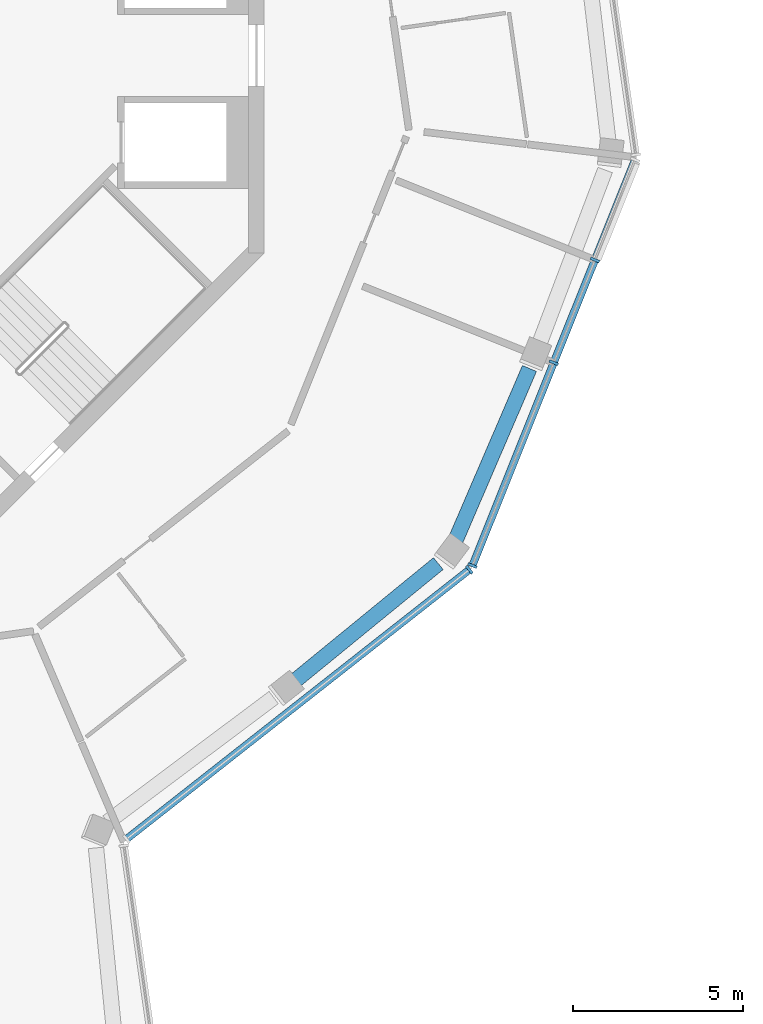
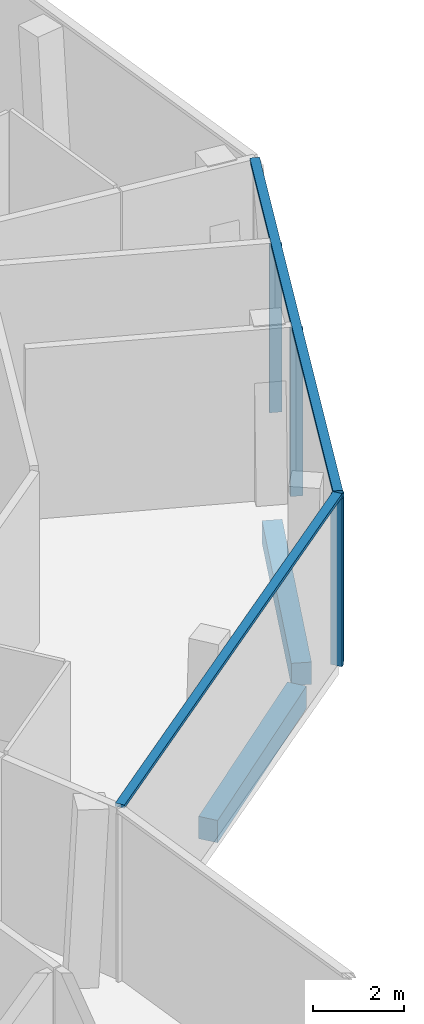
# One storey, part 3 of 19: 6 members, 2 beams, 2 elements without a shape of their own.
"""IFC4 building model written with IfcOpenShell, lengths in metres."""

import ifcopenshell
import ifcopenshell.guid

model = None  # the IFC model being written
_history = None  # IfcOwnerHistory: only IFC2X3 demands one
_inside = {}  # id of a spatial element -> (the spatial element, [elements in it])
_under = {}  # id of a project, library or spatial element -> (it, [spatial elements below it])
_declared = {}  # id of a project -> (the project, [libraries it declares])
_typed = {}  # id of a type object -> (the type object, [elements of that type])
_made_of = {}  # id of a material, layer set ... -> (it, [elements and type objects made of it])


def new_model(schema):
    """Start an empty IFC model of exactly this schema.

    Asked for "IFC4X3", IfcOpenShell would pick the latest addendum, in which some entities
    have other attributes; the version numbers below select the first issue.
    IFC2X3 requires an IfcOwnerHistory on every rooted entity: one is made here for all.
    """
    global model, _history
    if schema == "IFC4X3":
        model = ifcopenshell.file(schema_version=(4, 3, 0, 0))
    else:
        model = ifcopenshell.file(schema=schema)
    _inside.clear()
    _under.clear()
    _declared.clear()
    _typed.clear()
    _made_of.clear()
    _history = None
    if model.schema == "IFC2X3":
        org = make("IfcOrganization", Name="unknown")
        user = make(
            "IfcPersonAndOrganization",
            ThePerson=make("IfcPerson", FamilyName="unknown"),
            TheOrganization=org,
        )
        app = make(
            "IfcApplication",
            ApplicationDeveloper=org,
            Version="unknown",
            ApplicationFullName="unknown",
            ApplicationIdentifier="unknown",
        )
        _history = make(
            "IfcOwnerHistory",
            OwningUser=user,
            OwningApplication=app,
            ChangeAction="ADDED",
            CreationDate=0,
        )
    return model


def make(cls, **values):
    """One entity of the class cls with the attributes given. An attribute that is None is left unset."""
    return model.create_entity(
        cls, **{name: value for name, value in values.items() if value is not None}
    )


def rooted(cls, **values):
    """An entity with a GlobalId (a new one), such as an element, a storey or a relation."""
    return make(cls, GlobalId=ifcopenshell.guid.new(), OwnerHistory=_history, **values)


def si_unit(unit_type, name, prefix=None):
    """IfcSIUnit, for example si_unit("LENGTHUNIT", "METRE", prefix="MILLI")."""
    return make("IfcSIUnit", UnitType=unit_type, Prefix=prefix, Name=name)


def assignment(units):
    """IfcUnitAssignment: the units of a project."""
    return None if units is None else make("IfcUnitAssignment", Units=units)


def point(xyz):
    """IfcCartesianPoint."""
    return None if xyz is None else make("IfcCartesianPoint", Coordinates=xyz)


def direction(xyz):
    """IfcDirection."""
    return None if xyz is None else make("IfcDirection", DirectionRatios=xyz)


def frame(location, z_axis=None, x_axis=None):
    """IfcAxis2Placement3D, a coordinate frame: its origin and axes. An axis left out is left unset."""
    return make(
        "IfcAxis2Placement3D",
        Location=point(location),
        Axis=direction(z_axis),
        RefDirection=direction(x_axis),
    )


def frame_2d(location, x_axis=None):
    """IfcAxis2Placement2D, a coordinate frame in the plane: its origin and x axis."""
    return make(
        "IfcAxis2Placement2D", Location=point(location), RefDirection=direction(x_axis)
    )


def origin():
    """The frame at (0, 0, 0) with its axes left unset."""
    return frame((0.0, 0.0, 0.0))


def origin_2d():
    """The frame at (0, 0) in the plane with its x axis left unset."""
    return frame_2d((0.0, 0.0))


def place(relative_to, where):
    """IfcLocalPlacement: puts the frame where relative to a parent placement (None: the world)."""
    return make(
        "IfcLocalPlacement", PlacementRelTo=relative_to, RelativePlacement=where
    )


def context(
    kind, dimensions, precision=None, world=None, true_north=None, identifier=None
):
    """IfcGeometricRepresentationContext, for example the 3D "Model" context."""
    return make(
        "IfcGeometricRepresentationContext",
        ContextIdentifier=identifier,
        ContextType=kind,
        CoordinateSpaceDimension=dimensions,
        Precision=precision,
        WorldCoordinateSystem=world,
        TrueNorth=true_north,
    )


def subcontext(parent, identifier, kind, view, scale=None):
    """IfcGeometricRepresentationSubContext, for example "Body" below "Model"."""
    return make(
        "IfcGeometricRepresentationSubContext",
        ContextIdentifier=identifier,
        ContextType=kind,
        ParentContext=parent,
        TargetScale=scale,
        TargetView=view,
    )


def project(units=None, contexts=None):
    """IfcProject with its units and contexts."""
    return rooted(
        "IfcProject",
        Name="project",
        RepresentationContexts=contexts,
        UnitsInContext=assignment(units),
    )


def spatial(cls, under=None, at=None, **own):
    """A site, building, storey or space (cls), placed at a placement, below another one or the project."""
    s = rooted(cls, ObjectPlacement=at, **own)
    if under is not None:
        _under.setdefault(under.id(), (under, []))[1].append(s)
    return s


def profile(cls, at=None, kind="AREA", **sizes):
    """A parametric profile (cls). Its sizes go by their IFC names, for example OverallWidth=200.0."""
    return make(cls, ProfileType=kind, Position=at, **sizes)


def rectangle(**sizes):
    """IfcRectangleProfileDef."""
    return profile("IfcRectangleProfileDef", **sizes)


def extrude(swept, where, along, depth):
    """IfcExtrudedAreaSolid: the profile swept, set in the frame where, extruded along a direction by depth."""
    return make(
        "IfcExtrudedAreaSolid",
        SweptArea=swept,
        Position=where,
        ExtrudedDirection=direction(along),
        Depth=depth,
    )


def shape(context_of_items, identifier, shape_type, items):
    """IfcShapeRepresentation: the items that make up one representation, for example the "Body"."""
    return make(
        "IfcShapeRepresentation",
        ContextOfItems=context_of_items,
        RepresentationIdentifier=identifier,
        RepresentationType=shape_type,
        Items=items,
    )


def material(Name=None, Category=None):
    """IfcMaterial."""
    return make("IfcMaterial", Name=Name, Category=Category)


def layer(
    of_material, thickness, ventilated=None, Name=None, Category=None, Priority=None
):
    """IfcMaterialLayer: one layer of a wall or slab, of a material (None: an air gap)."""
    return make(
        "IfcMaterialLayer",
        Material=of_material,
        LayerThickness=thickness,
        IsVentilated=ventilated,
        Name=Name,
        Category=Category,
        Priority=Priority,
    )


def layer_set(layers, Name=None):
    """IfcMaterialLayerSet."""
    return make("IfcMaterialLayerSet", MaterialLayers=layers, LayerSetName=Name)


def material_profile(
    of_material, cross_section, Name=None, Category=None, Priority=None
):
    """IfcMaterialProfile: a cross section and its material."""
    return make(
        "IfcMaterialProfile",
        Name=Name,
        Material=of_material,
        Profile=cross_section,
        Priority=Priority,
        Category=Category,
    )


def profile_set(profiles, Name=None, composite=None):
    """IfcMaterialProfileSet."""
    return make(
        "IfcMaterialProfileSet",
        Name=Name,
        MaterialProfiles=profiles,
        CompositeProfile=composite,
    )


def made_of(thing, what):
    """Note that an element or type object is made of a material, layer set ...; save() writes the relation."""
    if what is not None:
        _made_of.setdefault(what.id(), (what, []))[1].append(thing)
    return thing


def type_object(cls, material=None, **own):
    """A type object (cls), such as IfcWallType, which elements share."""
    return made_of(rooted(cls, **own), material)


def element(
    cls,
    number,
    at=None,
    inside=None,
    cuts=None,
    type_object=None,
    material=None,
    context=None,
    identifier="Body",
    shape_type=None,
    held_by="IfcProductDefinitionShape",
    body=None,
    shapes=None,
    **own,
):
    """One element of the class cls, such as IfcWall. Its Tag is "e" and its number.

    at: its placement. inside: the storey or other place that contains it. cuts: it is an
    opening in that element (IfcRelVoidsElement). A single representation is given by context,
    identifier, shape_type and body (its items); several are given by shapes. held_by: the class
    of the entity that holds the representations. save() writes the other relations.
    """
    e = rooted(cls, Tag="e%d" % number, ObjectPlacement=at, **own)
    if body is not None:
        shapes = [shape(context, identifier, shape_type, body)]
    if shapes is not None:
        e.Representation = make(held_by, Representations=shapes)
    if inside is not None:
        _inside.setdefault(inside.id(), (inside, []))[1].append(e)
    if cuts is not None:
        rooted(
            "IfcRelVoidsElement", RelatingBuildingElement=cuts, RelatedOpeningElement=e
        )
    if type_object is not None:
        _typed.setdefault(type_object.id(), (type_object, []))[1].append(e)
    return made_of(e, material)


def aggregate(whole, parts):
    """IfcRelAggregates: a whole, such as a stair, and the parts it consists of."""
    return rooted("IfcRelAggregates", RelatingObject=whole, RelatedObjects=parts)


def save(model, path):
    """Write the relations noted so far, then the file.

    IfcRelAggregates (storeys below a building ...), IfcRelContainedInSpatialStructure (elements
    in a storey), IfcRelDefinesByType, IfcRelAssociatesMaterial and IfcRelDeclares: one each for
    every whole, place, type object, material and project.
    """
    for whole, parts in _under.values():
        aggregate(whole, parts)
    for where, things in _inside.values():
        rooted(
            "IfcRelContainedInSpatialStructure",
            RelatedElements=things,
            RelatingStructure=where,
        )
    for kind, things in _typed.values():
        rooted("IfcRelDefinesByType", RelatedObjects=things, RelatingType=kind)
    for what, things in _made_of.values():
        rooted("IfcRelAssociatesMaterial", RelatedObjects=things, RelatingMaterial=what)
    for by, libraries in _declared.values():
        rooted("IfcRelDeclares", RelatingContext=by, RelatedDefinitions=libraries)
    model.write(path)


model = new_model("IFC4")

# Units and contexts
model_context = context("Model", 3, precision=1e-05, world=origin(), true_north=direction((0.0, 1.0)))
body_context = subcontext(model_context, "Body", "Model", "MODEL_VIEW")
ifc_project = project(units=[si_unit("LENGTHUNIT", "METRE"), si_unit("AREAUNIT", "SQUARE_METRE"), si_unit("VOLUMEUNIT", "CUBIC_METRE"), si_unit("PLANEANGLEUNIT", "RADIAN"), si_unit("MASSUNIT", "GRAM", prefix="KILO")], contexts=[model_context])

# Site, building, storey
site_placement = place(None, origin())
site = spatial("IfcSite", under=ifc_project, at=site_placement, CompositionType="ELEMENT")
building_placement = place(site_placement, origin())
building = spatial("IfcBuilding", under=site, at=building_placement, Name="Verdalira Terraces Hotel", CompositionType="ELEMENT")
storey_placement = place(building_placement, frame((0.0, 0.0, 310.0)))
storey = spatial("IfcBuildingStorey", under=building, at=storey_placement, Name="L77", CompositionType="ELEMENT", Elevation=310.0)

# Curtain wall, member
ifc_material_1 = material(Name="Clear glass", Category="glass")
ifc_layer = layer(ifc_material_1, 0.280029296875)
ifc_layer_set = layer_set([ifc_layer], Name="CW6 curtain wall")
curtain_wall_type = type_object("IfcCurtainWallType", Name="CW6 curtain wall", PredefinedType="NOTDEFINED", material=ifc_layer_set)
curtain_wall_1_placement = place(storey_placement, origin())
curtain_wall_1 = element("IfcCurtainWall", 1, at=curtain_wall_1_placement, inside=storey, type_object=curtain_wall_type, Name="CW6 curtain wall L77 edge 25", PredefinedType="NOTDEFINED")
ifc_material_2 = material(Name="Terracotta frame", Category="masonry")
ifc_material_profile_1 = material_profile(ifc_material_2, rectangle(XDim=0.080078, YDim=0.280029, at=origin_2d()), Name="MU 80x280")
ifc_profile_set_1 = profile_set([ifc_material_profile_1], Name="Terracotta frame")
member_type_1 = type_object("IfcMemberType", Name="CW6 mullion 80x280", PredefinedType="MULLION", material=ifc_profile_set_1)
member_1_placement = place(storey_placement, frame((20.029785, -15.099609, 0.0), z_axis=(0.0, 0.0, 1.0), x_axis=(0.786288432, 0.617859613, 0.0)))
member_1 = element("IfcMember", 2, at=member_1_placement, type_object=member_type_1, Name="CW6 mullion", PredefinedType="MULLION", context=body_context, shape_type="SweptSolid", body=[
    extrude(rectangle(XDim=0.080078, YDim=0.280029, at=origin_2d()), origin(), (0.0, 0.0, 1.0), 4.51001),
])

# Curtain wall, members
curtain_wall_2_placement = place(storey_placement, origin())
curtain_wall_2 = element("IfcCurtainWall", 3, at=curtain_wall_2_placement, inside=storey, type_object=curtain_wall_type, Name="CW6 curtain wall L77 edge 26", PredefinedType="NOTDEFINED")
member_2_placement = place(storey_placement, frame((20.119629, -14.979736, 0.0), z_axis=(0.0, 0.0, 1.0), x_axis=(0.37201595, 0.928226337, 0.0)))
member_2 = element("IfcMember", 4, at=member_2_placement, type_object=member_type_1, Name="CW6 mullion", PredefinedType="MULLION", context=body_context, shape_type="SweptSolid", body=[
    extrude(rectangle(XDim=0.080078, YDim=0.280029, at=origin_2d()), origin(), (0.0, 0.0, 1.0), 4.51001),
])
member_3_placement = place(storey_placement, frame((22.508057, -9.020752, 0.0), z_axis=(0.0, 0.0, 1.0), x_axis=(0.37201595, 0.928226337, 0.0)))
member_3 = element("IfcMember", 5, at=member_3_placement, type_object=member_type_1, Name="CW6 mullion", PredefinedType="MULLION", context=body_context, shape_type="SweptSolid", body=[
    extrude(rectangle(XDim=0.080078, YDim=0.280029, at=origin_2d()), origin(), (0.0, 0.0, 1.0), 4.51001),
])
member_4_placement = place(storey_placement, frame((23.717041, -6.00415, 0.0), z_axis=(0.0, 0.0, 1.0), x_axis=(0.37201595, 0.928226337, 0.0)))
member_4 = element("IfcMember", 6, at=member_4_placement, type_object=member_type_1, Name="CW6 mullion", PredefinedType="MULLION", context=body_context, shape_type="SweptSolid", body=[
    extrude(rectangle(XDim=0.080078, YDim=0.280029, at=origin_2d()), origin(), (0.0, 0.0, 1.0), 4.51001),
])

# Member
ifc_material_3 = material(Name="Terracotta frame", Category="masonry")
ifc_material_profile_2 = material_profile(ifc_material_3, rectangle(XDim=0.219971, YDim=0.090088, at=origin_2d()), Name="TR 90x220")
ifc_profile_set_2 = profile_set([ifc_material_profile_2], Name="Terracotta frame")
member_type_2 = type_object("IfcMemberType", Name="CW6 transom 90x220", PredefinedType="USERDEFINED", material=ifc_profile_set_2)
member_5_placement = place(storey_placement, frame((9.930176, -23.035889, 4.554932), z_axis=(0.78628875, 0.617859208, 0.0), x_axis=(-0.617859208, 0.78628875, 0.0)))
member_5 = element("IfcMember", 7, at=member_5_placement, type_object=member_type_2, Name="CW6 transom", ObjectType="TRANSOM", PredefinedType="USERDEFINED", context=body_context, shape_type="SweptSolid", body=[
    extrude(rectangle(XDim=0.219971, YDim=0.090088, at=origin_2d()), origin(), (0.0, 0.0, 1.0), 12.884766),
])

aggregate(curtain_wall_1, [member_1, member_5])

member_6_placement = place(storey_placement, frame((20.104736, -15.016846, 4.554932), z_axis=(0.372025921, 0.928222341, 0.0), x_axis=(-0.928222341, 0.372025921, 0.0)))
member_6 = element("IfcMember", 8, at=member_6_placement, type_object=member_type_2, Name="CW6 transom", ObjectType="TRANSOM", PredefinedType="USERDEFINED", context=body_context, shape_type="SweptSolid", body=[
    extrude(rectangle(XDim=0.219971, YDim=0.090088, at=origin_2d()), origin(), (0.0, 0.0, 1.0), 12.919434),
])

aggregate(curtain_wall_2, [member_2, member_3, member_4, member_6])

# Beams
ifc_material_4 = material(Name="Concrete C40", Category="concrete")
ifc_material_profile_3 = material_profile(ifc_material_4, rectangle(XDim=0.449951, YDim=0.600098, at=origin_2d()), Name="RC 450X600")
ifc_profile_set_3 = profile_set([ifc_material_profile_3], Name="Concrete C40")
beam_type = type_object("IfcBeamType", Name="Spandrel beam RC 450X600 C40", PredefinedType="SPANDREL", material=ifc_profile_set_3)
beam_1_placement = place(storey_placement, frame((14.843506, -18.415039, -0.610107), z_axis=(0.774229109, 0.632905433, 0.0), x_axis=(-0.632905433, 0.774229109, 0.0)))
element("IfcBeam", 9, at=beam_1_placement, inside=storey, type_object=beam_type, Name="Spandrel beam B14", PredefinedType="SPANDREL", context=body_context, shape_type="SweptSolid", body=[
    extrude(rectangle(XDim=0.449951, YDim=0.600098, at=origin_2d()), origin(), (0.0, 0.0, 1.0), 5.52124),
])
beam_2_placement = place(storey_placement, frame((19.611572, -14.263184, -0.610107), z_axis=(0.395241861, 0.918577091, 0.0), x_axis=(-0.918577091, 0.395241861, 0.0)))
element("IfcBeam", 10, at=beam_2_placement, inside=storey, type_object=beam_type, Name="Spandrel beam B15", PredefinedType="SPANDREL", context=body_context, shape_type="SweptSolid", body=[
    extrude(rectangle(XDim=0.449951, YDim=0.600098, at=origin_2d()), origin(), (0.0, 0.0, 1.0), 5.523438),
])

save(model, "model.ifc")
